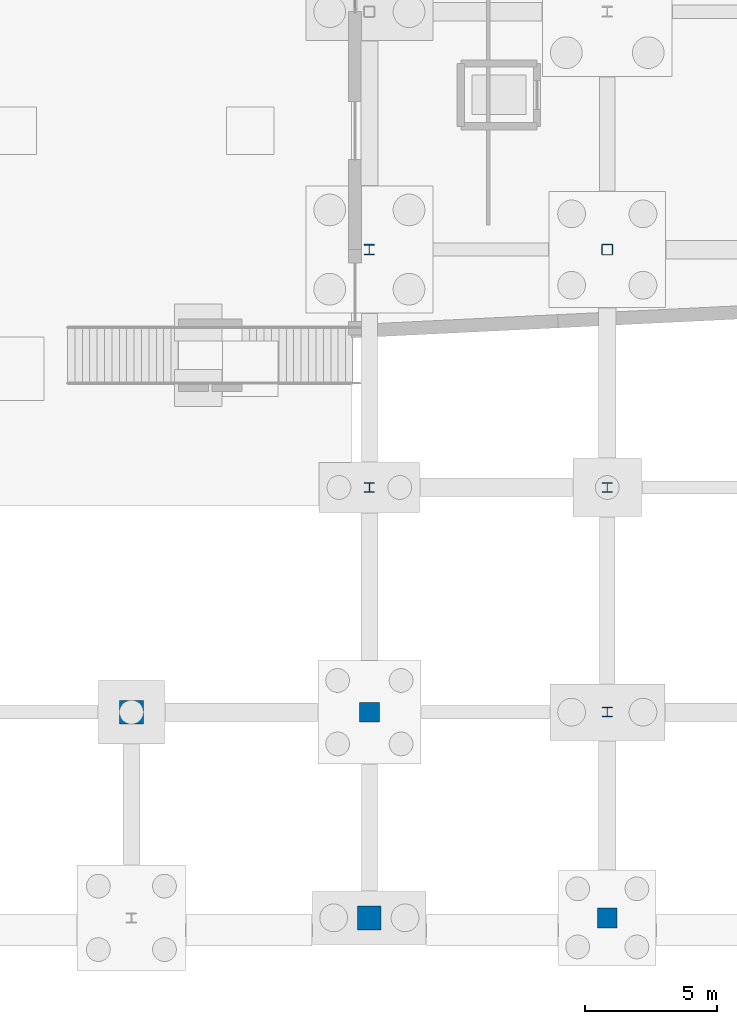
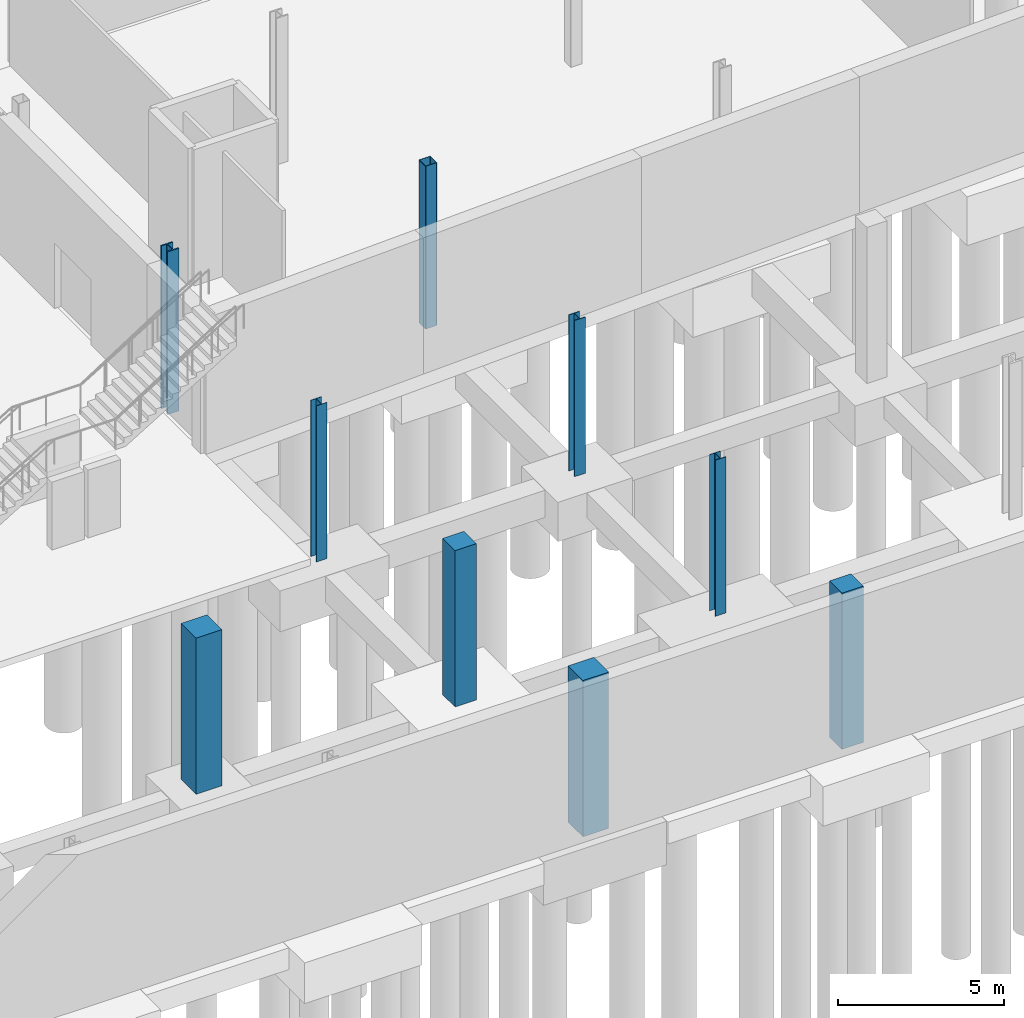
# One storey, part 17 of 60: 9 columns.
"""IFC4 building model written with IfcOpenShell, lengths in metres."""

from ifc_helpers import new_model, si_unit, direction, frame, origin, origin_2d, place, context, subcontext, project, spatial, rectangle, hollow_rectangle, i_section, extrude, material, material_profile, profile_set, type_object, element, save


model = new_model("IFC4")

# Units and contexts
model_context = context("Model", 3, precision=1e-05, world=origin(), true_north=direction((0.0, 1.0)))
body_context = subcontext(model_context, "Body", "Model", "MODEL_VIEW")
ifc_project = project(units=[si_unit("LENGTHUNIT", "METRE"), si_unit("AREAUNIT", "SQUARE_METRE"), si_unit("VOLUMEUNIT", "CUBIC_METRE"), si_unit("PLANEANGLEUNIT", "RADIAN"), si_unit("MASSUNIT", "GRAM", prefix="KILO")], contexts=[model_context])

# Site, building, storey
site_placement = place(None, origin())
site = spatial("IfcSite", under=ifc_project, at=site_placement, CompositionType="ELEMENT")
building_placement = place(site_placement, origin())
building = spatial("IfcBuilding", under=site, at=building_placement, Name="Trimount Lyric Opera House", CompositionType="ELEMENT")
storey_placement = place(building_placement, frame((0.0, 0.0, -5.39990234375)))
storey = spatial("IfcBuildingStorey", under=building, at=storey_placement, Name="B1", CompositionType="ELEMENT", Elevation=-5.39990234375)

# Columns
ifc_material_1 = material(Name="Steel ASTM A992 Grade 50", Category="steel")
ifc_material_profile_1 = material_profile(ifc_material_1, i_section(OverallWidth=0.406005859375, OverallDepth=0.4169921875, WebThickness=0.02978515625, FlangeThickness=0.048095703125, FilletRadius=0.01806640625, at=origin_2d()), Name="W14X257")
ifc_profile_set_1 = profile_set([ifc_material_profile_1], Name="Steel ASTM A992 Grade 50")
column_type_1 = type_object("IfcColumnType", Name="C-02", PredefinedType="COLUMN", material=ifc_profile_set_1)
column_1_placement = place(storey_placement, frame((45.0, 26.0, -0.60009765625), z_axis=(0.0, 0.0, 1.0), x_axis=(1.0, 0.0, 0.0)))
element("IfcColumn", 1, at=column_1_placement, inside=storey, type_object=column_type_1, Name="B1 column 6/D", PredefinedType="COLUMN", context=body_context, shape_type="SweptSolid", body=[
    extrude(i_section(OverallWidth=0.406005859375, OverallDepth=0.4169921875, WebThickness=0.02978515625, FlangeThickness=0.048095703125, FilletRadius=0.01806640625, at=origin_2d()), origin(), (0.0, 0.0, 1.0), 6.0),
])
ifc_material_2 = material(Name="Steel ASTM A992 Grade 50", Category="steel")
ifc_material_profile_2 = material_profile(ifc_material_2, i_section(OverallWidth=0.373046875, OverallDepth=0.367919921875, WebThickness=0.014892578125, FlangeThickness=0.02392578125, FilletRadius=0.014892578125, at=origin_2d()), Name="W14X120")
ifc_profile_set_2 = profile_set([ifc_material_profile_2], Name="Steel ASTM A992 Grade 50")
column_type_2 = type_object("IfcColumnType", Name="C-04", PredefinedType="COLUMN", material=ifc_profile_set_2)
column_2_placement = place(storey_placement, frame((54.0, 17.0, -0.60009765625), z_axis=(0.0, 0.0, 1.0), x_axis=(1.0, 0.0, 0.0)))
element("IfcColumn", 2, at=column_2_placement, inside=storey, type_object=column_type_2, Name="B1 column 7/C", PredefinedType="COLUMN", context=body_context, shape_type="SweptSolid", body=[
    extrude(i_section(OverallWidth=0.373046875, OverallDepth=0.367919921875, WebThickness=0.014892578125, FlangeThickness=0.02392578125, FilletRadius=0.014892578125, at=origin_2d()), origin(), (0.0, 0.0, 1.0), 5.760009765625),
])
ifc_material_3 = material(Name="Steel ASTM A500 Grade C", Category="steel")
ifc_material_profile_3 = material_profile(ifc_material_3, hollow_rectangle(XDim=0.406494140625, YDim=0.406494140625, WallThickness=0.014892578125, InnerFilletRadius=0.01513671875, OuterFilletRadius=0.030029296875, at=origin_2d()), Name="HSS406.4X406.4X15.9")
ifc_profile_set_3 = profile_set([ifc_material_profile_3], Name="Steel ASTM A500 Grade C")
column_type_3 = type_object("IfcColumnType", Name="C-07", PredefinedType="COLUMN", material=ifc_profile_set_3)
column_3_placement = place(storey_placement, frame((54.0, 26.0, -0.60009765625), z_axis=(0.0, 0.0, 1.0), x_axis=(1.0, 0.0, 0.0)))
element("IfcColumn", 3, at=column_3_placement, inside=storey, type_object=column_type_3, Name="B1 column 7/D", PredefinedType="COLUMN", context=body_context, shape_type="SweptSolid", body=[
    extrude(hollow_rectangle(XDim=0.406494140625, YDim=0.406494140625, WallThickness=0.014892578125, InnerFilletRadius=0.01513671875, OuterFilletRadius=0.030029296875, at=origin_2d()), origin(), (0.0, 0.0, 1.0), 6.0),
])
ifc_material_4 = material(Name="Steel ASTM A992 Grade 50", Category="steel")
ifc_material_profile_4 = material_profile(ifc_material_4, i_section(OverallWidth=0.367919921875, OverallDepth=0.35595703125, WebThickness=0.01123046875, FlangeThickness=0.01806640625, FilletRadius=0.014892578125, at=origin_2d()), Name="W14X90")
ifc_profile_set_4 = profile_set([ifc_material_profile_4], Name="Steel ASTM A992 Grade 50")
column_type_4 = type_object("IfcColumnType", Name="C-09", PredefinedType="COLUMN", material=ifc_profile_set_4)
for number, where, z_axis, x_axis, name in (
    (4, (45.0, 17.0, -0.60009765625), (0.0, 0.0, 1.0), (1.0, 0.0, 0.0), "B1 column 6/C"),
    (5, (54.0, 8.5, -0.60009765625), (0.0, 0.0, 1.0), (1.0, 0.0, 0.0), "B1 column 7/B"),
):
    element("IfcColumn", number, at=place(storey_placement, frame(where, z_axis=z_axis, x_axis=x_axis)), inside=storey, type_object=column_type_4, Name=name, PredefinedType="COLUMN", context=body_context, shape_type="SweptSolid", body=[
        extrude(i_section(OverallWidth=0.367919921875, OverallDepth=0.35595703125, WebThickness=0.01123046875, FlangeThickness=0.01806640625, FilletRadius=0.014892578125, at=origin_2d()), origin(), (0.0, 0.0, 1.0), 5.760009765625),
    ])
ifc_material_5 = material(Name="Concrete C50/60", Category="concrete")
ifc_material_profile_5 = material_profile(ifc_material_5, rectangle(XDim=0.89990234375, YDim=0.89990234375, at=origin_2d()), Name="RC900X900")
ifc_profile_set_5 = profile_set([ifc_material_profile_5], Name="Concrete C50/60")
column_type_5 = type_object("IfcColumnType", Name="C-13", PredefinedType="COLUMN", material=ifc_profile_set_5)
for number, where, z_axis, x_axis, name in (
    (6, (36.0, 8.5, -0.60009765625), (0.0, 0.0, 1.0), (1.0, 0.0, 0.0), "B1 column 5/B"),
    (7, (45.0, 0.719970703125, -0.60009765625), (0.0, 0.0, 1.0), (1.0, 0.0, 0.0), "B1 column 6/A"),
):
    element("IfcColumn", number, at=place(storey_placement, frame(where, z_axis=z_axis, x_axis=x_axis)), inside=storey, type_object=column_type_5, Name=name, PredefinedType="COLUMN", context=body_context, shape_type="SweptSolid", body=[
        extrude(rectangle(XDim=0.89990234375, YDim=0.89990234375, at=origin_2d()), origin(), (0.0, 0.0, 1.0), 5.760009765625),
    ])
ifc_material_6 = material(Name="Concrete C40/50", Category="concrete")
ifc_material_profile_6 = material_profile(ifc_material_6, rectangle(XDim=0.75, YDim=0.75, at=origin_2d()), Name="RC750X750")
ifc_profile_set_6 = profile_set([ifc_material_profile_6], Name="Concrete C40/50")
column_type_6 = type_object("IfcColumnType", Name="C-15", PredefinedType="COLUMN", material=ifc_profile_set_6)
for number, where, z_axis, x_axis, name in (
    (8, (45.0, 8.5, -0.60009765625), (0.0, 0.0, 1.0), (1.0, 0.0, 0.0), "B1 column 6/B"),
    (9, (54.0, 0.719970703125, -0.60009765625), (0.0, 0.0, 1.0), (1.0, 0.0, 0.0), "B1 column 7/A"),
):
    element("IfcColumn", number, at=place(storey_placement, frame(where, z_axis=z_axis, x_axis=x_axis)), inside=storey, type_object=column_type_6, Name=name, PredefinedType="COLUMN", context=body_context, shape_type="SweptSolid", body=[
        extrude(rectangle(XDim=0.75, YDim=0.75, at=origin_2d()), origin(), (0.0, 0.0, 1.0), 5.760009765625),
    ])

save(model, "model.ifc")
